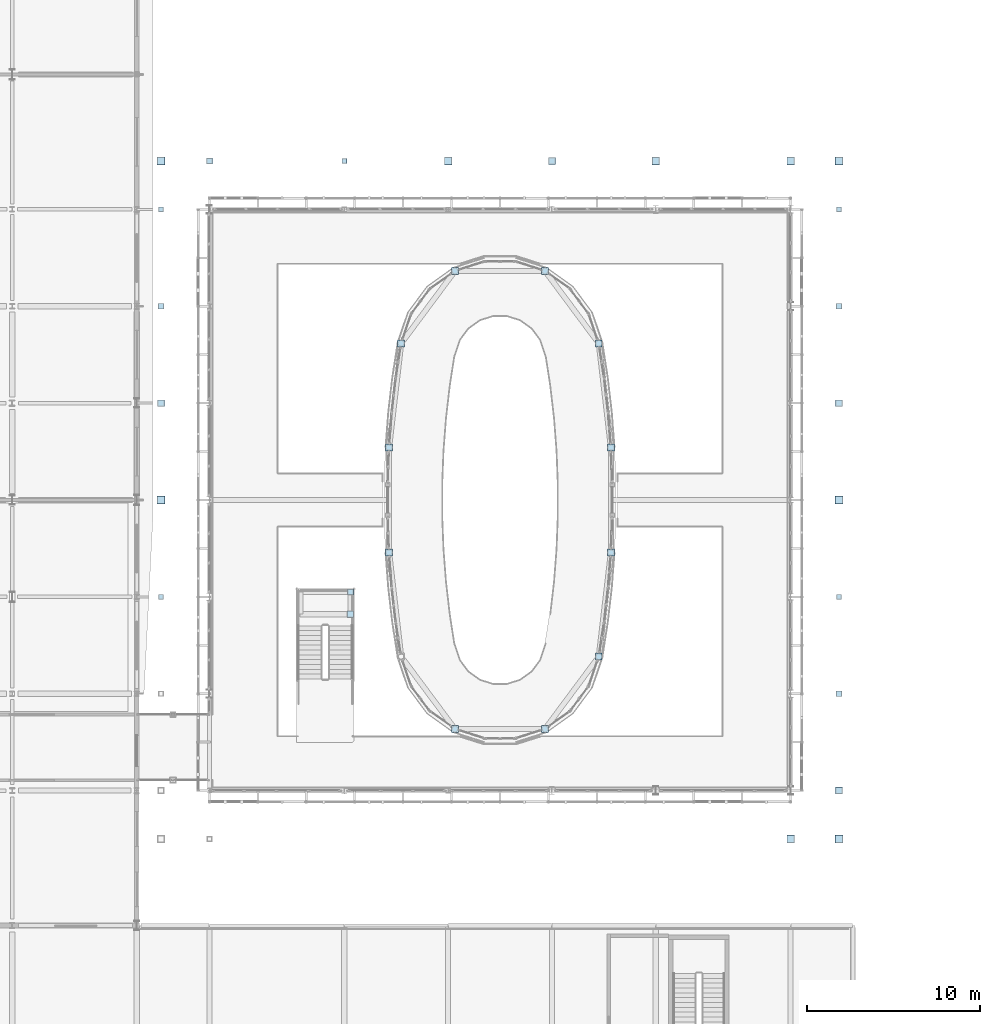
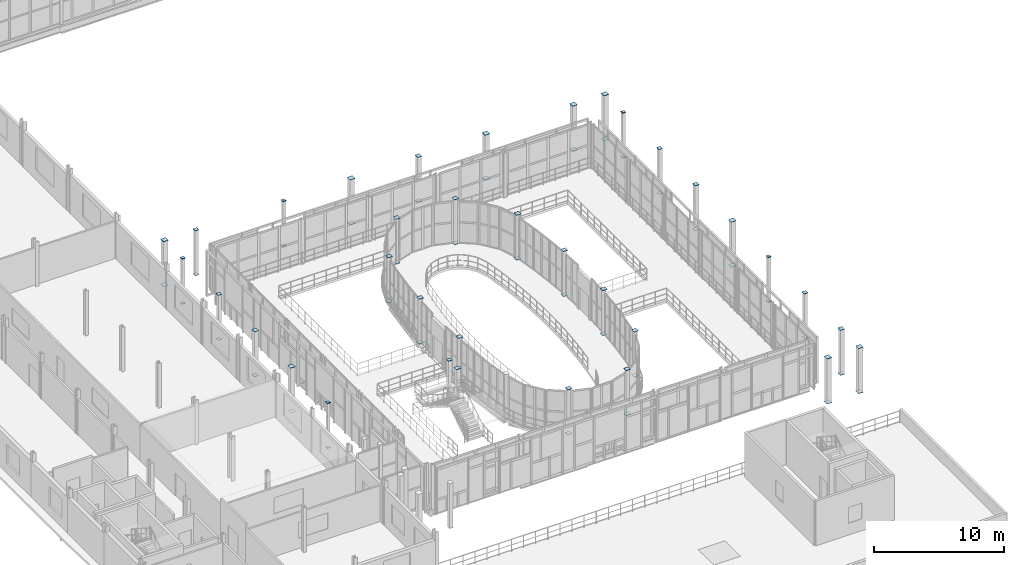
# One storey, part 105 of 138: 70 plates.
"""IFC4 building model written with IfcOpenShell, lengths in metres."""

from ifc_helpers import new_model, si_unit, direction, frame, origin, origin_2d, place, context, subcontext, project, spatial, rectangle, extrude, material, material_profile, profile_set, type_object, element, save


model = new_model("IFC4")

# Units and contexts
model_context = context("Model", 3, precision=1e-05, world=origin(), true_north=direction((0.0, 1.0)))
body_context = subcontext(model_context, "Body", "Model", "MODEL_VIEW")
ifc_project = project(units=[si_unit("LENGTHUNIT", "METRE"), si_unit("AREAUNIT", "SQUARE_METRE"), si_unit("VOLUMEUNIT", "CUBIC_METRE"), si_unit("PLANEANGLEUNIT", "RADIAN"), si_unit("MASSUNIT", "GRAM", prefix="KILO")], contexts=[model_context])

# Site, building, storey
site_placement = place(None, origin())
site = spatial("IfcSite", under=ifc_project, at=site_placement, CompositionType="ELEMENT")
building_placement = place(site_placement, origin())
building = spatial("IfcBuilding", under=site, at=building_placement, Name="Vinh Khe Railworks Police Headquarters", CompositionType="ELEMENT")
storey_placement = place(building_placement, frame((0.0, 0.0, 9.0)))
storey = spatial("IfcBuildingStorey", under=building, at=storey_placement, Name="L02", CompositionType="ELEMENT", Elevation=9.0)

# Plates
ifc_material = material(Name="Steel S355JR", Category="steel")
ifc_material_profile_1 = material_profile(ifc_material, rectangle(XDim=0.2900390625, YDim=0.2900390625, at=origin_2d()), Name="PL 290x290")
ifc_profile_set_1 = profile_set([ifc_material_profile_1], Name="Steel S355JR")
plate_type_1 = type_object("IfcPlateType", Name="Steel End-Cap Plate 290x290x24", PredefinedType="SHEET", material=ifc_profile_set_1)
plate_1_placement = place(storey_placement, frame((23.60009765625, 36.39990234375, 0.0), z_axis=(0.0, 0.0, -1.0), x_axis=(1.0, 0.0, 0.0)))
element("IfcPlate", 1, at=plate_1_placement, inside=storey, type_object=plate_type_1, Name="End-Cap Gusset Plate PLT-EP-0161", PredefinedType="SHEET", context=body_context, shape_type="SweptSolid", body=[
    extrude(rectangle(XDim=0.2900390625, YDim=0.2900390625, at=origin_2d()), origin(), (0.0, 0.0, 1.0), 0.02392578125),
])
plate_2_placement = place(storey_placement, frame((23.60009765625, 36.39990234375, 4.199951171875), z_axis=(0.0, 0.0, 1.0), x_axis=(1.0, 0.0, 0.0)))
element("IfcPlate", 2, at=plate_2_placement, inside=storey, type_object=plate_type_1, Name="End-Cap Gusset Plate PLT-EP-0164", PredefinedType="SHEET", context=body_context, shape_type="SweptSolid", body=[
    extrude(rectangle(XDim=0.2900390625, YDim=0.2900390625, at=origin_2d()), origin(), (0.0, 0.0, 1.0), 0.024169921875),
])
plate_3_placement = place(storey_placement, frame((23.60009765625, 58.800048828125, 0.0), z_axis=(0.0, 0.0, -1.0), x_axis=(1.0, 0.0, 0.0)))
element("IfcPlate", 3, at=plate_3_placement, inside=storey, type_object=plate_type_1, Name="End-Cap Gusset Plate PLT-EP-0198", PredefinedType="SHEET", context=body_context, shape_type="SweptSolid", body=[
    extrude(rectangle(XDim=0.2900390625, YDim=0.2900390625, at=origin_2d()), origin(), (0.0, 0.0, 1.0), 0.02392578125),
])
plate_4_placement = place(storey_placement, frame((23.60009765625, 58.800048828125, 4.199951171875), z_axis=(0.0, 0.0, 1.0), x_axis=(1.0, 0.0, 0.0)))
element("IfcPlate", 4, at=plate_4_placement, inside=storey, type_object=plate_type_1, Name="End-Cap Gusset Plate PLT-EP-0201", PredefinedType="SHEET", context=body_context, shape_type="SweptSolid", body=[
    extrude(rectangle(XDim=0.2900390625, YDim=0.2900390625, at=origin_2d()), origin(), (0.0, 0.0, 1.0), 0.024169921875),
])
plate_5_placement = place(storey_placement, frame((34.199951171875, 61.60009765625, 0.0), z_axis=(0.0, 0.0, -1.0), x_axis=(1.0, 0.0, 0.0)))
element("IfcPlate", 5, at=plate_5_placement, inside=storey, type_object=plate_type_1, Name="End-Cap Gusset Plate PLT-EP-0309", PredefinedType="SHEET", context=body_context, shape_type="SweptSolid", body=[
    extrude(rectangle(XDim=0.2900390625, YDim=0.2900390625, at=origin_2d()), origin(), (0.0, 0.0, 1.0), 0.02392578125),
])
plate_6_placement = place(storey_placement, frame((34.199951171875, 61.60009765625, 4.199951171875), z_axis=(0.0, 0.0, 1.0), x_axis=(1.0, 0.0, 0.0)))
element("IfcPlate", 6, at=plate_6_placement, inside=storey, type_object=plate_type_1, Name="End-Cap Gusset Plate PLT-EP-0312", PredefinedType="SHEET", context=body_context, shape_type="SweptSolid", body=[
    extrude(rectangle(XDim=0.2900390625, YDim=0.2900390625, at=origin_2d()), origin(), (0.0, 0.0, 1.0), 0.024169921875),
])
plate_7_placement = place(storey_placement, frame((62.800048828125, 36.39990234375, 0.0), z_axis=(0.0, 0.0, -1.0), x_axis=(1.0, 0.0, 0.0)))
element("IfcPlate", 7, at=plate_7_placement, inside=storey, type_object=plate_type_1, Name="End-Cap Gusset Plate PLT-EP-0609", PredefinedType="SHEET", context=body_context, shape_type="SweptSolid", body=[
    extrude(rectangle(XDim=0.2900390625, YDim=0.2900390625, at=origin_2d()), origin(), (0.0, 0.0, 1.0), 0.02392578125),
])
plate_8_placement = place(storey_placement, frame((62.800048828125, 36.39990234375, 4.199951171875), z_axis=(0.0, 0.0, 1.0), x_axis=(1.0, 0.0, 0.0)))
element("IfcPlate", 8, at=plate_8_placement, inside=storey, type_object=plate_type_1, Name="End-Cap Gusset Plate PLT-EP-0612", PredefinedType="SHEET", context=body_context, shape_type="SweptSolid", body=[
    extrude(rectangle(XDim=0.2900390625, YDim=0.2900390625, at=origin_2d()), origin(), (0.0, 0.0, 1.0), 0.024169921875),
])
plate_9_placement = place(storey_placement, frame((62.800048828125, 58.800048828125, 0.0), z_axis=(0.0, 0.0, -1.0), x_axis=(1.0, 0.0, 0.0)))
element("IfcPlate", 9, at=plate_9_placement, inside=storey, type_object=plate_type_1, Name="End-Cap Gusset Plate PLT-EP-0646", PredefinedType="SHEET", context=body_context, shape_type="SweptSolid", body=[
    extrude(rectangle(XDim=0.2900390625, YDim=0.2900390625, at=origin_2d()), origin(), (0.0, 0.0, 1.0), 0.02392578125),
])
plate_10_placement = place(storey_placement, frame((62.800048828125, 58.800048828125, 4.199951171875), z_axis=(0.0, 0.0, 1.0), x_axis=(1.0, 0.0, 0.0)))
element("IfcPlate", 10, at=plate_10_placement, inside=storey, type_object=plate_type_1, Name="End-Cap Gusset Plate PLT-EP-0649", PredefinedType="SHEET", context=body_context, shape_type="SweptSolid", body=[
    extrude(rectangle(XDim=0.2900390625, YDim=0.2900390625, at=origin_2d()), origin(), (0.0, 0.0, 1.0), 0.024169921875),
])
ifc_material_profile_2 = material_profile(ifc_material, rectangle(XDim=0.340087890625, YDim=0.340087890625, at=origin_2d()), Name="PL 340x340")
ifc_profile_set_2 = profile_set([ifc_material_profile_2], Name="Steel S355JR")
plate_type_2 = type_object("IfcPlateType", Name="Steel End-Cap Plate 340x340x24", PredefinedType="SHEET", material=ifc_profile_set_2)
plate_11_placement = place(storey_placement, frame((23.60009765625, 53.199951171875, 0.0), z_axis=(0.0, 0.0, -1.0), x_axis=(1.0, 0.0, 0.0)))
element("IfcPlate", 11, at=plate_11_placement, inside=storey, type_object=plate_type_2, Name="End-Cap Gusset Plate PLT-EP-0189", PredefinedType="SHEET", context=body_context, shape_type="SweptSolid", body=[
    extrude(rectangle(XDim=0.340087890625, YDim=0.340087890625, at=origin_2d()), origin(), (0.0, 0.0, 1.0), 0.02392578125),
])
plate_12_placement = place(storey_placement, frame((23.60009765625, 53.199951171875, 4.199951171875), z_axis=(0.0, 0.0, 1.0), x_axis=(1.0, 0.0, 0.0)))
element("IfcPlate", 12, at=plate_12_placement, inside=storey, type_object=plate_type_2, Name="End-Cap Gusset Plate PLT-EP-0192", PredefinedType="SHEET", context=body_context, shape_type="SweptSolid", body=[
    extrude(rectangle(XDim=0.340087890625, YDim=0.340087890625, at=origin_2d()), origin(), (0.0, 0.0, 1.0), 0.024169921875),
])
plate_13_placement = place(storey_placement, frame((26.39990234375, 61.60009765625, 0.0), z_axis=(0.0, 0.0, -1.0), x_axis=(1.0, 0.0, 0.0)))
element("IfcPlate", 13, at=plate_13_placement, inside=storey, type_object=plate_type_2, Name="End-Cap Gusset Plate PLT-EP-0247", PredefinedType="SHEET", context=body_context, shape_type="SweptSolid", body=[
    extrude(rectangle(XDim=0.340087890625, YDim=0.340087890625, at=origin_2d()), origin(), (0.0, 0.0, 1.0), 0.02392578125),
])
plate_14_placement = place(storey_placement, frame((26.39990234375, 61.60009765625, 4.199951171875), z_axis=(0.0, 0.0, 1.0), x_axis=(1.0, 0.0, 0.0)))
element("IfcPlate", 14, at=plate_14_placement, inside=storey, type_object=plate_type_2, Name="End-Cap Gusset Plate PLT-EP-0250", PredefinedType="SHEET", context=body_context, shape_type="SweptSolid", body=[
    extrude(rectangle(XDim=0.340087890625, YDim=0.340087890625, at=origin_2d()), origin(), (0.0, 0.0, 1.0), 0.024169921875),
])
plate_15_placement = place(storey_placement, frame((34.550048828125, 36.679931640625, 0.0), z_axis=(0.0, 0.0, -1.0), x_axis=(1.0, 0.0, 0.0)))
element("IfcPlate", 15, at=plate_15_placement, inside=storey, type_object=plate_type_2, Name="End-Cap Gusset Plate PLT-EP-0323", PredefinedType="SHEET", context=body_context, shape_type="SweptSolid", body=[
    extrude(rectangle(XDim=0.340087890625, YDim=0.340087890625, at=origin_2d()), origin(), (0.0, 0.0, 1.0), 0.02392578125),
])
plate_16_placement = place(storey_placement, frame((34.550048828125, 36.679931640625, 4.199951171875), z_axis=(0.0, 0.0, 1.0), x_axis=(1.0, 0.0, 0.0)))
element("IfcPlate", 16, at=plate_16_placement, inside=storey, type_object=plate_type_2, Name="End-Cap Gusset Plate PLT-EP-0325", PredefinedType="SHEET", context=body_context, shape_type="SweptSolid", body=[
    extrude(rectangle(XDim=0.340087890625, YDim=0.340087890625, at=origin_2d()), origin(), (0.0, 0.0, 1.0), 0.024169921875),
])
plate_17_placement = place(storey_placement, frame((62.800048828125, 30.800048828125, 0.0), z_axis=(0.0, 0.0, -1.0), x_axis=(1.0, 0.0, 0.0)))
element("IfcPlate", 17, at=plate_17_placement, inside=storey, type_object=plate_type_2, Name="End-Cap Gusset Plate PLT-EP-0601", PredefinedType="SHEET", context=body_context, shape_type="SweptSolid", body=[
    extrude(rectangle(XDim=0.340087890625, YDim=0.340087890625, at=origin_2d()), origin(), (0.0, 0.0, 1.0), 0.02392578125),
])
plate_18_placement = place(storey_placement, frame((62.800048828125, 30.800048828125, 4.199951171875), z_axis=(0.0, 0.0, 1.0), x_axis=(1.0, 0.0, 0.0)))
element("IfcPlate", 18, at=plate_18_placement, inside=storey, type_object=plate_type_2, Name="End-Cap Gusset Plate PLT-EP-0604", PredefinedType="SHEET", context=body_context, shape_type="SweptSolid", body=[
    extrude(rectangle(XDim=0.340087890625, YDim=0.340087890625, at=origin_2d()), origin(), (0.0, 0.0, 1.0), 0.024169921875),
])
plate_19_placement = place(storey_placement, frame((62.800048828125, 53.199951171875, 0.0), z_axis=(0.0, 0.0, -1.0), x_axis=(1.0, 0.0, 0.0)))
element("IfcPlate", 19, at=plate_19_placement, inside=storey, type_object=plate_type_2, Name="End-Cap Gusset Plate PLT-EP-0637", PredefinedType="SHEET", context=body_context, shape_type="SweptSolid", body=[
    extrude(rectangle(XDim=0.340087890625, YDim=0.340087890625, at=origin_2d()), origin(), (0.0, 0.0, 1.0), 0.02392578125),
])
plate_20_placement = place(storey_placement, frame((62.800048828125, 53.199951171875, 4.199951171875), z_axis=(0.0, 0.0, 1.0), x_axis=(1.0, 0.0, 0.0)))
element("IfcPlate", 20, at=plate_20_placement, inside=storey, type_object=plate_type_2, Name="End-Cap Gusset Plate PLT-EP-0640", PredefinedType="SHEET", context=body_context, shape_type="SweptSolid", body=[
    extrude(rectangle(XDim=0.340087890625, YDim=0.340087890625, at=origin_2d()), origin(), (0.0, 0.0, 1.0), 0.024169921875),
])
ifc_material_profile_3 = material_profile(ifc_material, rectangle(XDim=0.389892578125, YDim=0.389892578125, at=origin_2d()), Name="PL 390x390")
ifc_profile_set_3 = profile_set([ifc_material_profile_3], Name="Steel S355JR")
plate_type_3 = type_object("IfcPlateType", Name="Steel End-Cap Plate 390x390x24", PredefinedType="SHEET", material=ifc_profile_set_3)
plate_21_placement = place(storey_placement, frame((23.60009765625, 47.60009765625, 0.0), z_axis=(0.0, 0.0, -1.0), x_axis=(1.0, 0.0, 0.0)))
element("IfcPlate", 21, at=plate_21_placement, inside=storey, type_object=plate_type_3, Name="End-Cap Gusset Plate PLT-EP-0180", PredefinedType="SHEET", context=body_context, shape_type="SweptSolid", body=[
    extrude(rectangle(XDim=0.389892578125, YDim=0.389892578125, at=origin_2d()), origin(), (0.0, 0.0, 1.0), 0.02392578125),
])
plate_22_placement = place(storey_placement, frame((23.60009765625, 47.60009765625, 4.199951171875), z_axis=(0.0, 0.0, 1.0), x_axis=(1.0, 0.0, 0.0)))
element("IfcPlate", 22, at=plate_22_placement, inside=storey, type_object=plate_type_3, Name="End-Cap Gusset Plate PLT-EP-0183", PredefinedType="SHEET", context=body_context, shape_type="SweptSolid", body=[
    extrude(rectangle(XDim=0.389892578125, YDim=0.389892578125, at=origin_2d()), origin(), (0.0, 0.0, 1.0), 0.024169921875),
])
plate_23_placement = place(storey_placement, frame((34.550048828125, 35.39990234375, 0.0), z_axis=(0.0, 0.0, -1.0), x_axis=(1.0, 0.0, 0.0)))
element("IfcPlate", 23, at=plate_23_placement, inside=storey, type_object=plate_type_3, Name="End-Cap Gusset Plate PLT-EP-0317", PredefinedType="SHEET", context=body_context, shape_type="SweptSolid", body=[
    extrude(rectangle(XDim=0.389892578125, YDim=0.389892578125, at=origin_2d()), origin(), (0.0, 0.0, 1.0), 0.02392578125),
])
plate_24_placement = place(storey_placement, frame((34.550048828125, 35.39990234375, 4.199951171875), z_axis=(0.0, 0.0, 1.0), x_axis=(1.0, 0.0, 0.0)))
element("IfcPlate", 24, at=plate_24_placement, inside=storey, type_object=plate_type_3, Name="End-Cap Gusset Plate PLT-EP-0319", PredefinedType="SHEET", context=body_context, shape_type="SweptSolid", body=[
    extrude(rectangle(XDim=0.389892578125, YDim=0.389892578125, at=origin_2d()), origin(), (0.0, 0.0, 1.0), 0.024169921875),
])
plate_25_placement = place(storey_placement, frame((46.199951171875, 61.60009765625, 0.0), z_axis=(0.0, 0.0, -1.0), x_axis=(1.0, 0.0, 0.0)))
element("IfcPlate", 25, at=plate_25_placement, inside=storey, type_object=plate_type_3, Name="End-Cap Gusset Plate PLT-EP-0453", PredefinedType="SHEET", context=body_context, shape_type="SweptSolid", body=[
    extrude(rectangle(XDim=0.389892578125, YDim=0.389892578125, at=origin_2d()), origin(), (0.0, 0.0, 1.0), 0.02392578125),
])
plate_26_placement = place(storey_placement, frame((46.199951171875, 61.60009765625, 4.199951171875), z_axis=(0.0, 0.0, 1.0), x_axis=(1.0, 0.0, 0.0)))
element("IfcPlate", 26, at=plate_26_placement, inside=storey, type_object=plate_type_3, Name="End-Cap Gusset Plate PLT-EP-0456", PredefinedType="SHEET", context=body_context, shape_type="SweptSolid", body=[
    extrude(rectangle(XDim=0.389892578125, YDim=0.389892578125, at=origin_2d()), origin(), (0.0, 0.0, 1.0), 0.024169921875),
])
plate_27_placement = place(storey_placement, frame((62.800048828125, 25.199951171875, 0.0), z_axis=(0.0, 0.0, -1.0), x_axis=(1.0, 0.0, 0.0)))
element("IfcPlate", 27, at=plate_27_placement, inside=storey, type_object=plate_type_3, Name="End-Cap Gusset Plate PLT-EP-0592", PredefinedType="SHEET", context=body_context, shape_type="SweptSolid", body=[
    extrude(rectangle(XDim=0.389892578125, YDim=0.389892578125, at=origin_2d()), origin(), (0.0, 0.0, 1.0), 0.02392578125),
])
plate_28_placement = place(storey_placement, frame((62.800048828125, 25.199951171875, 4.199951171875), z_axis=(0.0, 0.0, 1.0), x_axis=(1.0, 0.0, 0.0)))
element("IfcPlate", 28, at=plate_28_placement, inside=storey, type_object=plate_type_3, Name="End-Cap Gusset Plate PLT-EP-0595", PredefinedType="SHEET", context=body_context, shape_type="SweptSolid", body=[
    extrude(rectangle(XDim=0.389892578125, YDim=0.389892578125, at=origin_2d()), origin(), (0.0, 0.0, 1.0), 0.024169921875),
])
plate_29_placement = place(storey_placement, frame((62.800048828125, 47.60009765625, 0.0), z_axis=(0.0, 0.0, -1.0), x_axis=(1.0, 0.0, 0.0)))
element("IfcPlate", 29, at=plate_29_placement, inside=storey, type_object=plate_type_3, Name="End-Cap Gusset Plate PLT-EP-0628", PredefinedType="SHEET", context=body_context, shape_type="SweptSolid", body=[
    extrude(rectangle(XDim=0.389892578125, YDim=0.389892578125, at=origin_2d()), origin(), (0.0, 0.0, 1.0), 0.02392578125),
])
plate_30_placement = place(storey_placement, frame((62.800048828125, 47.60009765625, 4.199951171875), z_axis=(0.0, 0.0, 1.0), x_axis=(1.0, 0.0, 0.0)))
element("IfcPlate", 30, at=plate_30_placement, inside=storey, type_object=plate_type_3, Name="End-Cap Gusset Plate PLT-EP-0631", PredefinedType="SHEET", context=body_context, shape_type="SweptSolid", body=[
    extrude(rectangle(XDim=0.389892578125, YDim=0.389892578125, at=origin_2d()), origin(), (0.0, 0.0, 1.0), 0.024169921875),
])
ifc_material_profile_4 = material_profile(ifc_material, rectangle(XDim=0.39599609375, YDim=0.39599609375, at=origin_2d()), Name="PL 396x396")
ifc_profile_set_4 = profile_set([ifc_material_profile_4], Name="Steel S355JR")
plate_type_4 = type_object("IfcPlateType", Name="Steel End-Cap Plate 396x396x24", PredefinedType="SHEET", material=ifc_profile_set_4)
plate_31_placement = place(storey_placement, frame((36.78759765625, 38.968017578125, 0.0), z_axis=(0.0, 0.0, -1.0), x_axis=(1.0, 0.0, 0.0)))
element("IfcPlate", 31, at=plate_31_placement, inside=storey, type_object=plate_type_4, Name="End-Cap Gusset Plate PLT-EP-0337", PredefinedType="SHEET", context=body_context, shape_type="SweptSolid", body=[
    extrude(rectangle(XDim=0.39599609375, YDim=0.39599609375, at=origin_2d()), origin(), (0.0, 0.0, 1.0), 0.02392578125),
])
plate_32_placement = place(storey_placement, frame((36.78759765625, 38.968017578125, 4.199951171875), z_axis=(0.0, 0.0, 1.0), x_axis=(1.0, 0.0, 0.0)))
element("IfcPlate", 32, at=plate_32_placement, inside=storey, type_object=plate_type_4, Name="End-Cap Gusset Plate PLT-EP-0340", PredefinedType="SHEET", context=body_context, shape_type="SweptSolid", body=[
    extrude(rectangle(XDim=0.39599609375, YDim=0.39599609375, at=origin_2d()), origin(), (0.0, 0.0, 1.0), 0.024169921875),
])
plate_33_placement = place(storey_placement, frame((36.78759765625, 45.031982421875, 0.0), z_axis=(0.0, 0.0, -1.0), x_axis=(1.0, 0.0, 0.0)))
element("IfcPlate", 33, at=plate_33_placement, inside=storey, type_object=plate_type_4, Name="End-Cap Gusset Plate PLT-EP-0345", PredefinedType="SHEET", context=body_context, shape_type="SweptSolid", body=[
    extrude(rectangle(XDim=0.39599609375, YDim=0.39599609375, at=origin_2d()), origin(), (0.0, 0.0, 1.0), 0.02392578125),
])
plate_34_placement = place(storey_placement, frame((36.78759765625, 45.031982421875, 4.199951171875), z_axis=(0.0, 0.0, 1.0), x_axis=(1.0, 0.0, 0.0)))
element("IfcPlate", 34, at=plate_34_placement, inside=storey, type_object=plate_type_4, Name="End-Cap Gusset Plate PLT-EP-0348", PredefinedType="SHEET", context=body_context, shape_type="SweptSolid", body=[
    extrude(rectangle(XDim=0.39599609375, YDim=0.39599609375, at=origin_2d()), origin(), (0.0, 0.0, 1.0), 0.024169921875),
])
plate_35_placement = place(storey_placement, frame((37.48681640625, 51.055908203125, 0.0), z_axis=(0.0, 0.0, -1.0), x_axis=(1.0, 0.0, 0.0)))
element("IfcPlate", 35, at=plate_35_placement, inside=storey, type_object=plate_type_4, Name="End-Cap Gusset Plate PLT-EP-0361", PredefinedType="SHEET", context=body_context, shape_type="SweptSolid", body=[
    extrude(rectangle(XDim=0.39599609375, YDim=0.39599609375, at=origin_2d()), origin(), (0.0, 0.0, 1.0), 0.02392578125),
])
plate_36_placement = place(storey_placement, frame((37.48681640625, 51.055908203125, 4.199951171875), z_axis=(0.0, 0.0, 1.0), x_axis=(1.0, 0.0, 0.0)))
element("IfcPlate", 36, at=plate_36_placement, inside=storey, type_object=plate_type_4, Name="End-Cap Gusset Plate PLT-EP-0364", PredefinedType="SHEET", context=body_context, shape_type="SweptSolid", body=[
    extrude(rectangle(XDim=0.39599609375, YDim=0.39599609375, at=origin_2d()), origin(), (0.0, 0.0, 1.0), 0.024169921875),
])
plate_37_placement = place(storey_placement, frame((40.594970703125, 28.762451171875, 0.0), z_axis=(0.0, 0.0, -1.0), x_axis=(1.0, 0.0, 0.0)))
element("IfcPlate", 37, at=plate_37_placement, inside=storey, type_object=plate_type_4, Name="End-Cap Gusset Plate PLT-EP-0399", PredefinedType="SHEET", context=body_context, shape_type="SweptSolid", body=[
    extrude(rectangle(XDim=0.39599609375, YDim=0.39599609375, at=origin_2d()), origin(), (0.0, 0.0, 1.0), 0.02392578125),
])
plate_38_placement = place(storey_placement, frame((40.594970703125, 28.762451171875, 4.199951171875), z_axis=(0.0, 0.0, 1.0), x_axis=(1.0, 0.0, 0.0)))
element("IfcPlate", 38, at=plate_38_placement, inside=storey, type_object=plate_type_4, Name="End-Cap Gusset Plate PLT-EP-0402", PredefinedType="SHEET", context=body_context, shape_type="SweptSolid", body=[
    extrude(rectangle(XDim=0.39599609375, YDim=0.39599609375, at=origin_2d()), origin(), (0.0, 0.0, 1.0), 0.024169921875),
])
plate_39_placement = place(storey_placement, frame((40.594970703125, 55.237548828125, 0.0), z_axis=(0.0, 0.0, -1.0), x_axis=(1.0, 0.0, 0.0)))
element("IfcPlate", 39, at=plate_39_placement, inside=storey, type_object=plate_type_4, Name="End-Cap Gusset Plate PLT-EP-0407", PredefinedType="SHEET", context=body_context, shape_type="SweptSolid", body=[
    extrude(rectangle(XDim=0.39599609375, YDim=0.39599609375, at=origin_2d()), origin(), (0.0, 0.0, 1.0), 0.02392578125),
])
plate_40_placement = place(storey_placement, frame((40.594970703125, 55.237548828125, 4.199951171875), z_axis=(0.0, 0.0, 1.0), x_axis=(1.0, 0.0, 0.0)))
element("IfcPlate", 40, at=plate_40_placement, inside=storey, type_object=plate_type_4, Name="End-Cap Gusset Plate PLT-EP-0410", PredefinedType="SHEET", context=body_context, shape_type="SweptSolid", body=[
    extrude(rectangle(XDim=0.39599609375, YDim=0.39599609375, at=origin_2d()), origin(), (0.0, 0.0, 1.0), 0.024169921875),
])
plate_41_placement = place(storey_placement, frame((45.80517578125, 28.762451171875, 0.0), z_axis=(0.0, 0.0, -1.0), x_axis=(1.0, 0.0, 0.0)))
element("IfcPlate", 41, at=plate_41_placement, inside=storey, type_object=plate_type_4, Name="End-Cap Gusset Plate PLT-EP-0429", PredefinedType="SHEET", context=body_context, shape_type="SweptSolid", body=[
    extrude(rectangle(XDim=0.39599609375, YDim=0.39599609375, at=origin_2d()), origin(), (0.0, 0.0, 1.0), 0.02392578125),
])
plate_42_placement = place(storey_placement, frame((45.80517578125, 28.762451171875, 4.199951171875), z_axis=(0.0, 0.0, 1.0), x_axis=(1.0, 0.0, 0.0)))
element("IfcPlate", 42, at=plate_42_placement, inside=storey, type_object=plate_type_4, Name="End-Cap Gusset Plate PLT-EP-0432", PredefinedType="SHEET", context=body_context, shape_type="SweptSolid", body=[
    extrude(rectangle(XDim=0.39599609375, YDim=0.39599609375, at=origin_2d()), origin(), (0.0, 0.0, 1.0), 0.024169921875),
])
plate_43_placement = place(storey_placement, frame((45.80517578125, 55.237548828125, 0.0), z_axis=(0.0, 0.0, -1.0), x_axis=(1.0, 0.0, 0.0)))
element("IfcPlate", 43, at=plate_43_placement, inside=storey, type_object=plate_type_4, Name="End-Cap Gusset Plate PLT-EP-0437", PredefinedType="SHEET", context=body_context, shape_type="SweptSolid", body=[
    extrude(rectangle(XDim=0.39599609375, YDim=0.39599609375, at=origin_2d()), origin(), (0.0, 0.0, 1.0), 0.02392578125),
])
plate_44_placement = place(storey_placement, frame((45.80517578125, 55.237548828125, 4.199951171875), z_axis=(0.0, 0.0, 1.0), x_axis=(1.0, 0.0, 0.0)))
element("IfcPlate", 44, at=plate_44_placement, inside=storey, type_object=plate_type_4, Name="End-Cap Gusset Plate PLT-EP-0440", PredefinedType="SHEET", context=body_context, shape_type="SweptSolid", body=[
    extrude(rectangle(XDim=0.39599609375, YDim=0.39599609375, at=origin_2d()), origin(), (0.0, 0.0, 1.0), 0.024169921875),
])
plate_45_placement = place(storey_placement, frame((48.9130859375, 32.944091796875, 0.0), z_axis=(0.0, 0.0, -1.0), x_axis=(1.0, 0.0, 0.0)))
element("IfcPlate", 45, at=plate_45_placement, inside=storey, type_object=plate_type_4, Name="End-Cap Gusset Plate PLT-EP-0483", PredefinedType="SHEET", context=body_context, shape_type="SweptSolid", body=[
    extrude(rectangle(XDim=0.39599609375, YDim=0.39599609375, at=origin_2d()), origin(), (0.0, 0.0, 1.0), 0.02392578125),
])
plate_46_placement = place(storey_placement, frame((48.9130859375, 32.944091796875, 4.199951171875), z_axis=(0.0, 0.0, 1.0), x_axis=(1.0, 0.0, 0.0)))
element("IfcPlate", 46, at=plate_46_placement, inside=storey, type_object=plate_type_4, Name="End-Cap Gusset Plate PLT-EP-0486", PredefinedType="SHEET", context=body_context, shape_type="SweptSolid", body=[
    extrude(rectangle(XDim=0.39599609375, YDim=0.39599609375, at=origin_2d()), origin(), (0.0, 0.0, 1.0), 0.024169921875),
])
plate_47_placement = place(storey_placement, frame((48.9130859375, 51.055908203125, 0.0), z_axis=(0.0, 0.0, -1.0), x_axis=(1.0, 0.0, 0.0)))
element("IfcPlate", 47, at=plate_47_placement, inside=storey, type_object=plate_type_4, Name="End-Cap Gusset Plate PLT-EP-0491", PredefinedType="SHEET", context=body_context, shape_type="SweptSolid", body=[
    extrude(rectangle(XDim=0.39599609375, YDim=0.39599609375, at=origin_2d()), origin(), (0.0, 0.0, 1.0), 0.02392578125),
])
plate_48_placement = place(storey_placement, frame((48.9130859375, 51.055908203125, 4.199951171875), z_axis=(0.0, 0.0, 1.0), x_axis=(1.0, 0.0, 0.0)))
element("IfcPlate", 48, at=plate_48_placement, inside=storey, type_object=plate_type_4, Name="End-Cap Gusset Plate PLT-EP-0494", PredefinedType="SHEET", context=body_context, shape_type="SweptSolid", body=[
    extrude(rectangle(XDim=0.39599609375, YDim=0.39599609375, at=origin_2d()), origin(), (0.0, 0.0, 1.0), 0.024169921875),
])
plate_49_placement = place(storey_placement, frame((49.6123046875, 38.968017578125, 0.0), z_axis=(0.0, 0.0, -1.0), x_axis=(1.0, 0.0, 0.0)))
element("IfcPlate", 49, at=plate_49_placement, inside=storey, type_object=plate_type_4, Name="End-Cap Gusset Plate PLT-EP-0499", PredefinedType="SHEET", context=body_context, shape_type="SweptSolid", body=[
    extrude(rectangle(XDim=0.39599609375, YDim=0.39599609375, at=origin_2d()), origin(), (0.0, 0.0, 1.0), 0.02392578125),
])
plate_50_placement = place(storey_placement, frame((49.6123046875, 38.968017578125, 4.199951171875), z_axis=(0.0, 0.0, 1.0), x_axis=(1.0, 0.0, 0.0)))
element("IfcPlate", 50, at=plate_50_placement, inside=storey, type_object=plate_type_4, Name="End-Cap Gusset Plate PLT-EP-0502", PredefinedType="SHEET", context=body_context, shape_type="SweptSolid", body=[
    extrude(rectangle(XDim=0.39599609375, YDim=0.39599609375, at=origin_2d()), origin(), (0.0, 0.0, 1.0), 0.024169921875),
])
plate_51_placement = place(storey_placement, frame((49.6123046875, 45.031982421875, 0.0), z_axis=(0.0, 0.0, -1.0), x_axis=(1.0, 0.0, 0.0)))
element("IfcPlate", 51, at=plate_51_placement, inside=storey, type_object=plate_type_4, Name="End-Cap Gusset Plate PLT-EP-0507", PredefinedType="SHEET", context=body_context, shape_type="SweptSolid", body=[
    extrude(rectangle(XDim=0.39599609375, YDim=0.39599609375, at=origin_2d()), origin(), (0.0, 0.0, 1.0), 0.02392578125),
])
plate_52_placement = place(storey_placement, frame((49.6123046875, 45.031982421875, 4.199951171875), z_axis=(0.0, 0.0, 1.0), x_axis=(1.0, 0.0, 0.0)))
element("IfcPlate", 52, at=plate_52_placement, inside=storey, type_object=plate_type_4, Name="End-Cap Gusset Plate PLT-EP-0510", PredefinedType="SHEET", context=body_context, shape_type="SweptSolid", body=[
    extrude(rectangle(XDim=0.39599609375, YDim=0.39599609375, at=origin_2d()), origin(), (0.0, 0.0, 1.0), 0.024169921875),
])
ifc_material_profile_5 = material_profile(ifc_material, rectangle(XDim=0.43994140625, YDim=0.43994140625, at=origin_2d()), Name="PL 440x440")
ifc_profile_set_5 = profile_set([ifc_material_profile_5], Name="Steel S355JR")
plate_type_5 = type_object("IfcPlateType", Name="Steel End-Cap Plate 440x440x24", PredefinedType="SHEET", material=ifc_profile_set_5)
plate_53_placement = place(storey_placement, frame((23.60009765625, 42.0, 0.0), z_axis=(0.0, 0.0, -1.0), x_axis=(1.0, 0.0, 0.0)))
element("IfcPlate", 53, at=plate_53_placement, inside=storey, type_object=plate_type_5, Name="End-Cap Gusset Plate PLT-EP-0170", PredefinedType="SHEET", context=body_context, shape_type="SweptSolid", body=[
    extrude(rectangle(XDim=0.43994140625, YDim=0.43994140625, at=origin_2d()), origin(), (0.0, 0.0, 1.0), 0.02392578125),
])
plate_54_placement = place(storey_placement, frame((23.60009765625, 42.0, 4.199951171875), z_axis=(0.0, 0.0, 1.0), x_axis=(1.0, 0.0, 0.0)))
element("IfcPlate", 54, at=plate_54_placement, inside=storey, type_object=plate_type_5, Name="End-Cap Gusset Plate PLT-EP-0173", PredefinedType="SHEET", context=body_context, shape_type="SweptSolid", body=[
    extrude(rectangle(XDim=0.43994140625, YDim=0.43994140625, at=origin_2d()), origin(), (0.0, 0.0, 1.0), 0.024169921875),
])
plate_55_placement = place(storey_placement, frame((23.60009765625, 61.60009765625, 0.0), z_axis=(0.0, 0.0, -1.0), x_axis=(1.0, 0.0, 0.0)))
element("IfcPlate", 55, at=plate_55_placement, inside=storey, type_object=plate_type_5, Name="End-Cap Gusset Plate PLT-EP-0206", PredefinedType="SHEET", context=body_context, shape_type="SweptSolid", body=[
    extrude(rectangle(XDim=0.43994140625, YDim=0.43994140625, at=origin_2d()), origin(), (0.0, 0.0, 1.0), 0.02392578125),
])
plate_56_placement = place(storey_placement, frame((23.60009765625, 61.60009765625, 4.199951171875), z_axis=(0.0, 0.0, 1.0), x_axis=(1.0, 0.0, 0.0)))
element("IfcPlate", 56, at=plate_56_placement, inside=storey, type_object=plate_type_5, Name="End-Cap Gusset Plate PLT-EP-0209", PredefinedType="SHEET", context=body_context, shape_type="SweptSolid", body=[
    extrude(rectangle(XDim=0.43994140625, YDim=0.43994140625, at=origin_2d()), origin(), (0.0, 0.0, 1.0), 0.024169921875),
])
plate_57_placement = place(storey_placement, frame((40.199951171875, 61.60009765625, 0.0), z_axis=(0.0, 0.0, -1.0), x_axis=(1.0, 0.0, 0.0)))
element("IfcPlate", 57, at=plate_57_placement, inside=storey, type_object=plate_type_5, Name="End-Cap Gusset Plate PLT-EP-0383", PredefinedType="SHEET", context=body_context, shape_type="SweptSolid", body=[
    extrude(rectangle(XDim=0.43994140625, YDim=0.43994140625, at=origin_2d()), origin(), (0.0, 0.0, 1.0), 0.02392578125),
])
plate_58_placement = place(storey_placement, frame((40.199951171875, 61.60009765625, 4.199951171875), z_axis=(0.0, 0.0, 1.0), x_axis=(1.0, 0.0, 0.0)))
element("IfcPlate", 58, at=plate_58_placement, inside=storey, type_object=plate_type_5, Name="End-Cap Gusset Plate PLT-EP-0386", PredefinedType="SHEET", context=body_context, shape_type="SweptSolid", body=[
    extrude(rectangle(XDim=0.43994140625, YDim=0.43994140625, at=origin_2d()), origin(), (0.0, 0.0, 1.0), 0.024169921875),
])
plate_59_placement = place(storey_placement, frame((52.199951171875, 61.60009765625, 0.0), z_axis=(0.0, 0.0, -1.0), x_axis=(1.0, 0.0, 0.0)))
element("IfcPlate", 59, at=plate_59_placement, inside=storey, type_object=plate_type_5, Name="End-Cap Gusset Plate PLT-EP-0523", PredefinedType="SHEET", context=body_context, shape_type="SweptSolid", body=[
    extrude(rectangle(XDim=0.43994140625, YDim=0.43994140625, at=origin_2d()), origin(), (0.0, 0.0, 1.0), 0.02392578125),
])
plate_60_placement = place(storey_placement, frame((52.199951171875, 61.60009765625, 4.199951171875), z_axis=(0.0, 0.0, 1.0), x_axis=(1.0, 0.0, 0.0)))
element("IfcPlate", 60, at=plate_60_placement, inside=storey, type_object=plate_type_5, Name="End-Cap Gusset Plate PLT-EP-0526", PredefinedType="SHEET", context=body_context, shape_type="SweptSolid", body=[
    extrude(rectangle(XDim=0.43994140625, YDim=0.43994140625, at=origin_2d()), origin(), (0.0, 0.0, 1.0), 0.024169921875),
])
plate_61_placement = place(storey_placement, frame((60.0, 22.39990234375, 0.0), z_axis=(0.0, 0.0, -1.0), x_axis=(1.0, 0.0, 0.0)))
element("IfcPlate", 61, at=plate_61_placement, inside=storey, type_object=plate_type_5, Name="End-Cap Gusset Plate PLT-EP-0553", PredefinedType="SHEET", context=body_context, shape_type="SweptSolid", body=[
    extrude(rectangle(XDim=0.43994140625, YDim=0.43994140625, at=origin_2d()), origin(), (0.0, 0.0, 1.0), 0.02392578125),
])
plate_62_placement = place(storey_placement, frame((60.0, 22.39990234375, 4.199951171875), z_axis=(0.0, 0.0, 1.0), x_axis=(1.0, 0.0, 0.0)))
element("IfcPlate", 62, at=plate_62_placement, inside=storey, type_object=plate_type_5, Name="End-Cap Gusset Plate PLT-EP-0556", PredefinedType="SHEET", context=body_context, shape_type="SweptSolid", body=[
    extrude(rectangle(XDim=0.43994140625, YDim=0.43994140625, at=origin_2d()), origin(), (0.0, 0.0, 1.0), 0.024169921875),
])
plate_63_placement = place(storey_placement, frame((60.0, 61.60009765625, 0.0), z_axis=(0.0, 0.0, -1.0), x_axis=(1.0, 0.0, 0.0)))
element("IfcPlate", 63, at=plate_63_placement, inside=storey, type_object=plate_type_5, Name="End-Cap Gusset Plate PLT-EP-0574", PredefinedType="SHEET", context=body_context, shape_type="SweptSolid", body=[
    extrude(rectangle(XDim=0.43994140625, YDim=0.43994140625, at=origin_2d()), origin(), (0.0, 0.0, 1.0), 0.02392578125),
])
plate_64_placement = place(storey_placement, frame((60.0, 61.60009765625, 4.199951171875), z_axis=(0.0, 0.0, 1.0), x_axis=(1.0, 0.0, 0.0)))
element("IfcPlate", 64, at=plate_64_placement, inside=storey, type_object=plate_type_5, Name="End-Cap Gusset Plate PLT-EP-0577", PredefinedType="SHEET", context=body_context, shape_type="SweptSolid", body=[
    extrude(rectangle(XDim=0.43994140625, YDim=0.43994140625, at=origin_2d()), origin(), (0.0, 0.0, 1.0), 0.024169921875),
])
plate_65_placement = place(storey_placement, frame((62.800048828125, 22.39990234375, 0.0), z_axis=(0.0, 0.0, -1.0), x_axis=(1.0, 0.0, 0.0)))
element("IfcPlate", 65, at=plate_65_placement, inside=storey, type_object=plate_type_5, Name="End-Cap Gusset Plate PLT-EP-0584", PredefinedType="SHEET", context=body_context, shape_type="SweptSolid", body=[
    extrude(rectangle(XDim=0.43994140625, YDim=0.43994140625, at=origin_2d()), origin(), (0.0, 0.0, 1.0), 0.02392578125),
])
plate_66_placement = place(storey_placement, frame((62.800048828125, 22.39990234375, 4.199951171875), z_axis=(0.0, 0.0, 1.0), x_axis=(1.0, 0.0, 0.0)))
element("IfcPlate", 66, at=plate_66_placement, inside=storey, type_object=plate_type_5, Name="End-Cap Gusset Plate PLT-EP-0587", PredefinedType="SHEET", context=body_context, shape_type="SweptSolid", body=[
    extrude(rectangle(XDim=0.43994140625, YDim=0.43994140625, at=origin_2d()), origin(), (0.0, 0.0, 1.0), 0.024169921875),
])
plate_67_placement = place(storey_placement, frame((62.800048828125, 42.0, 0.0), z_axis=(0.0, 0.0, -1.0), x_axis=(1.0, 0.0, 0.0)))
element("IfcPlate", 67, at=plate_67_placement, inside=storey, type_object=plate_type_5, Name="End-Cap Gusset Plate PLT-EP-0618", PredefinedType="SHEET", context=body_context, shape_type="SweptSolid", body=[
    extrude(rectangle(XDim=0.43994140625, YDim=0.43994140625, at=origin_2d()), origin(), (0.0, 0.0, 1.0), 0.02392578125),
])
plate_68_placement = place(storey_placement, frame((62.800048828125, 42.0, 4.199951171875), z_axis=(0.0, 0.0, 1.0), x_axis=(1.0, 0.0, 0.0)))
element("IfcPlate", 68, at=plate_68_placement, inside=storey, type_object=plate_type_5, Name="End-Cap Gusset Plate PLT-EP-0621", PredefinedType="SHEET", context=body_context, shape_type="SweptSolid", body=[
    extrude(rectangle(XDim=0.43994140625, YDim=0.43994140625, at=origin_2d()), origin(), (0.0, 0.0, 1.0), 0.024169921875),
])
plate_69_placement = place(storey_placement, frame((62.800048828125, 61.60009765625, 0.0), z_axis=(0.0, 0.0, -1.0), x_axis=(1.0, 0.0, 0.0)))
element("IfcPlate", 69, at=plate_69_placement, inside=storey, type_object=plate_type_5, Name="End-Cap Gusset Plate PLT-EP-0654", PredefinedType="SHEET", context=body_context, shape_type="SweptSolid", body=[
    extrude(rectangle(XDim=0.43994140625, YDim=0.43994140625, at=origin_2d()), origin(), (0.0, 0.0, 1.0), 0.02392578125),
])
plate_70_placement = place(storey_placement, frame((62.800048828125, 61.60009765625, 4.199951171875), z_axis=(0.0, 0.0, 1.0), x_axis=(1.0, 0.0, 0.0)))
element("IfcPlate", 70, at=plate_70_placement, inside=storey, type_object=plate_type_5, Name="End-Cap Gusset Plate PLT-EP-0657", PredefinedType="SHEET", context=body_context, shape_type="SweptSolid", body=[
    extrude(rectangle(XDim=0.43994140625, YDim=0.43994140625, at=origin_2d()), origin(), (0.0, 0.0, 1.0), 0.024169921875),
])

save(model, "model.ifc")
